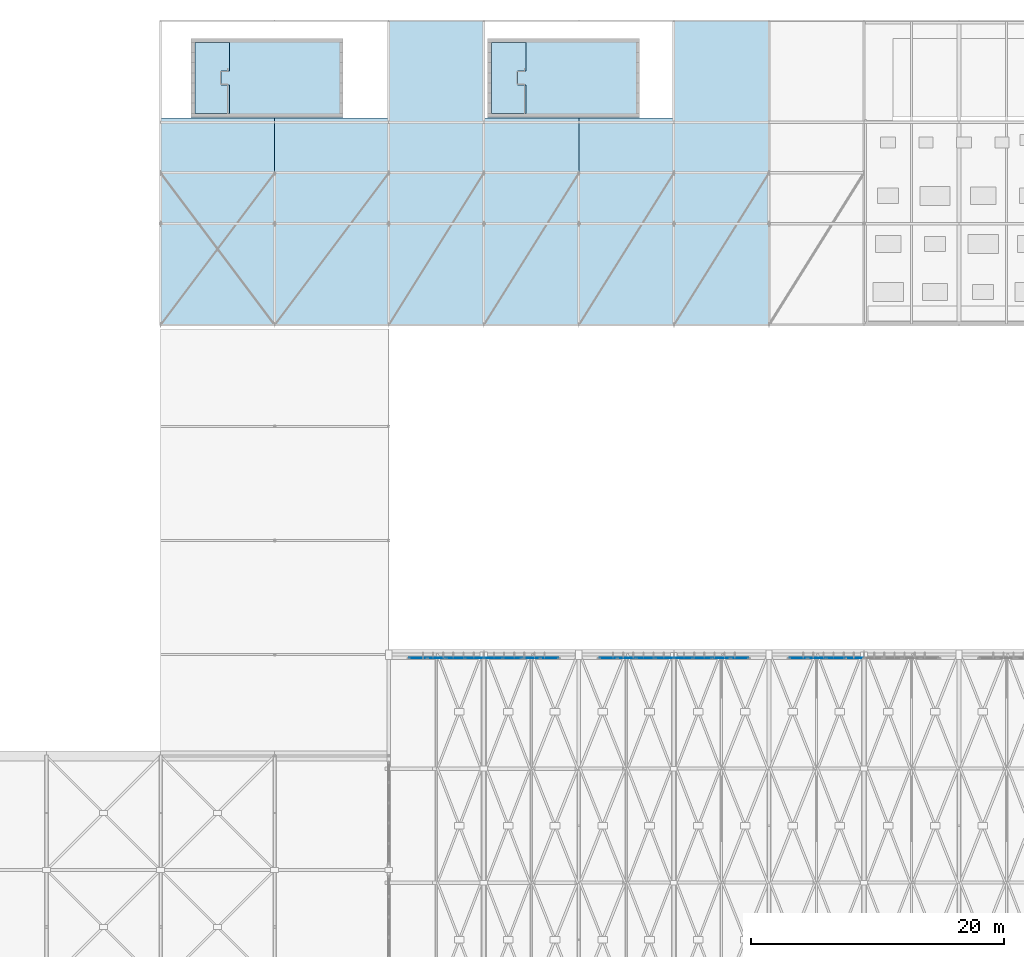
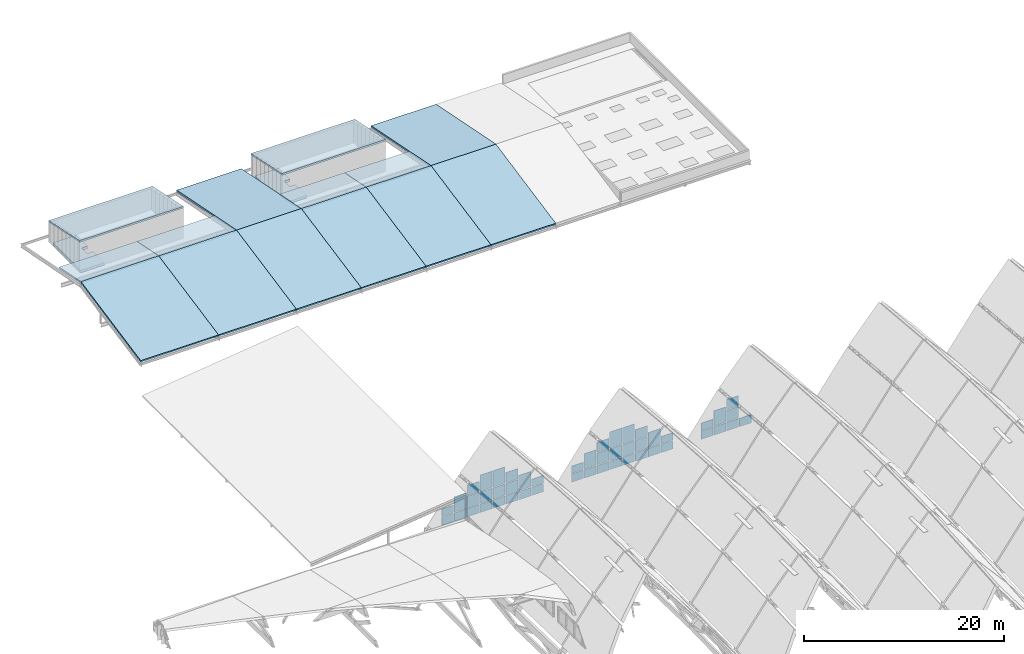
# One storey, part 62 of 93: 48 plates, 16 slabs, 4 elements without a shape of their own.
"""IFC4 building model written with IfcOpenShell, lengths in metres."""

from ifc_helpers import new_model, si_unit, direction, frame, origin, origin_2d, place, context, subcontext, project, spatial, polyline, rectangle, outline, extrude, material, layer, layer_set, type_object, element, aggregate, save


model = new_model("IFC4")

# Units and contexts
model_context = context("Model", 3, precision=1e-05, world=origin(), true_north=direction((0.0, 1.0)))
body_context = subcontext(model_context, "Body", "Model", "MODEL_VIEW")
ifc_project = project(units=[si_unit("LENGTHUNIT", "METRE"), si_unit("AREAUNIT", "SQUARE_METRE"), si_unit("VOLUMEUNIT", "CUBIC_METRE"), si_unit("PLANEANGLEUNIT", "RADIAN"), si_unit("MASSUNIT", "GRAM", prefix="KILO")], contexts=[model_context])

# Site, building, storey
site_placement = place(None, origin())
site = spatial("IfcSite", under=ifc_project, at=site_placement, CompositionType="ELEMENT")
building_placement = place(site_placement, origin())
building = spatial("IfcBuilding", under=site, at=building_placement, Name="Vourika Railside Aquatics Centre", CompositionType="ELEMENT")
storey_placement = place(building_placement, frame((0.0, 0.0, 21.89990234375)))
storey = spatial("IfcBuildingStorey", under=building, at=storey_placement, Name="Roof", CompositionType="ELEMENT", Elevation=21.89990234375)

# Curtain wall, plates
ifc_material_1 = material(Name="Anodized thermally broken aluminium", Category="aluminium")
curtain_wall_type_1 = type_object("IfcCurtainWallType", Name="CW-VLTN1", PredefinedType="NOTDEFINED", material=ifc_material_1)
curtain_wall_1_placement = place(storey_placement, origin())
curtain_wall_1 = element("IfcCurtainWall", 1, at=curtain_wall_1_placement, inside=storey, type_object=curtain_wall_type_1, Name="North Courtyard Pointed-Arch Curtain Wall Bay 1", PredefinedType="NOTDEFINED")
ifc_material_2 = material(Name="Low-E solar-control laminated double glazing", Category="glass")
ifc_layer_1 = layer(ifc_material_2, 0.048095703125, Name="CWP-VLTN1")
ifc_layer_set_1 = layer_set([ifc_layer_1], Name="Low-E solar-control laminated double glazing")
plate_type_1 = type_object("IfcPlateType", Name="CWP-VLTN1", PredefinedType="CURTAIN_PANEL", material=ifc_layer_set_1)
plate_1_placement = place(storey_placement, frame((48.68505859375, 65.719970703125, -11.014892578125), z_axis=(0.0, 0.0, 1.0), x_axis=(-1.0, 0.0, 0.0)))
plate_1 = element("IfcPlate", 2, at=plate_1_placement, type_object=plate_type_1, Name="CW01 glazed panel 1.1", PredefinedType="CURTAIN_PANEL", context=body_context, shape_type="SweptSolid", body=[
    extrude(rectangle(XDim=1.360107421875, YDim=0.048095703125, at=origin_2d()), origin(), (0.0, 0.0, 1.0), 1.0224609375),
])
plate_2_placement = place(storey_placement, frame((48.68505859375, 65.719970703125, -9.9072265625), z_axis=(0.0, 0.0, 1.0), x_axis=(-1.0, 0.0, 0.0)))
plate_2 = element("IfcPlate", 3, at=plate_2_placement, type_object=plate_type_1, Name="CW01 glazed panel 1.2", PredefinedType="CURTAIN_PANEL", context=body_context, shape_type="SweptSolid", body=[
    extrude(rectangle(XDim=1.360107421875, YDim=0.048095703125, at=origin_2d()), origin(), (0.0, 0.0, 1.0), 0.884521484375),
])
plate_3_placement = place(storey_placement, frame((47.21875, 65.719970703125, -11.014892578125), z_axis=(0.0, 0.0, 1.0), x_axis=(-1.0, 0.0, 0.0)))
plate_3 = element("IfcPlate", 4, at=plate_3_placement, type_object=plate_type_1, Name="CW01 glazed panel 2.1", PredefinedType="CURTAIN_PANEL", context=body_context, shape_type="SweptSolid", body=[
    extrude(rectangle(XDim=1.402587890625, YDim=0.048095703125, at=origin_2d()), origin(), (0.0, 0.0, 1.0), 1.0224609375),
])
plate_4_placement = place(storey_placement, frame((47.21875, 65.719970703125, -9.907470703125), z_axis=(0.0, 0.0, 1.0), x_axis=(-1.0, 0.0, 0.0)))
plate_4 = element("IfcPlate", 5, at=plate_4_placement, type_object=plate_type_1, Name="CW01 glazed panel 2.2", PredefinedType="CURTAIN_PANEL", context=body_context, shape_type="SweptSolid", body=[
    extrude(rectangle(XDim=1.402587890625, YDim=0.048095703125, at=origin_2d()), origin(), (0.0, 0.0, 1.0), 1.87548828125),
])
plate_5_placement = place(storey_placement, frame((45.731201171875, 65.719970703125, -11.014892578125), z_axis=(0.0, 0.0, 1.0), x_axis=(-1.0, 0.0, 0.0)))
plate_5 = element("IfcPlate", 6, at=plate_5_placement, type_object=plate_type_1, Name="CW01 glazed panel 3.1", PredefinedType="CURTAIN_PANEL", context=body_context, shape_type="SweptSolid", body=[
    extrude(rectangle(XDim=1.402587890625, YDim=0.048095703125, at=origin_2d()), origin(), (0.0, 0.0, 1.0), 1.0224609375),
])
plate_6_placement = place(storey_placement, frame((45.731201171875, 65.719970703125, -9.907470703125), z_axis=(0.0, 0.0, 1.0), x_axis=(-1.0, 0.0, 0.0)))
plate_6 = element("IfcPlate", 7, at=plate_6_placement, type_object=plate_type_1, Name="CW01 glazed panel 3.2", PredefinedType="CURTAIN_PANEL", context=body_context, shape_type="SweptSolid", body=[
    extrude(rectangle(XDim=1.402587890625, YDim=0.048095703125, at=origin_2d()), origin(), (0.0, 0.0, 1.0), 1.4150390625),
])
plate_7_placement = place(storey_placement, frame((45.731201171875, 65.719970703125, -8.4072265625), z_axis=(0.0, 0.0, 1.0), x_axis=(-1.0, 0.0, 0.0)))
plate_7 = element("IfcPlate", 8, at=plate_7_placement, type_object=plate_type_1, Name="CW01 glazed panel 3.3", PredefinedType="CURTAIN_PANEL", context=body_context, shape_type="SweptSolid", body=[
    extrude(rectangle(XDim=1.402587890625, YDim=0.048095703125, at=origin_2d()), origin(), (0.0, 0.0, 1.0), 1.255615234375),
])
plate_8_placement = place(storey_placement, frame((44.24365234375, 65.719970703125, -11.014892578125), z_axis=(0.0, 0.0, 1.0), x_axis=(-1.0, 0.0, 0.0)))
plate_8 = element("IfcPlate", 9, at=plate_8_placement, type_object=plate_type_1, Name="CW01 glazed panel 4.1", PredefinedType="CURTAIN_PANEL", context=body_context, shape_type="SweptSolid", body=[
    extrude(rectangle(XDim=1.402587890625, YDim=0.048095703125, at=origin_2d()), origin(), (0.0, 0.0, 1.0), 1.0224609375),
])
plate_9_placement = place(storey_placement, frame((44.24365234375, 65.719970703125, -9.907470703125), z_axis=(0.0, 0.0, 1.0), x_axis=(-1.0, 0.0, 0.0)))
plate_9 = element("IfcPlate", 10, at=plate_9_placement, type_object=plate_type_1, Name="CW01 glazed panel 4.2", PredefinedType="CURTAIN_PANEL", context=body_context, shape_type="SweptSolid", body=[
    extrude(rectangle(XDim=1.402587890625, YDim=0.048095703125, at=origin_2d()), origin(), (0.0, 0.0, 1.0), 1.4150390625),
])
plate_10_placement = place(storey_placement, frame((44.24365234375, 65.719970703125, -8.4072265625), z_axis=(0.0, 0.0, 1.0), x_axis=(-1.0, 0.0, 0.0)))
plate_10 = element("IfcPlate", 11, at=plate_10_placement, type_object=plate_type_1, Name="CW01 glazed panel 4.3", PredefinedType="CURTAIN_PANEL", context=body_context, shape_type="SweptSolid", body=[
    extrude(rectangle(XDim=1.402587890625, YDim=0.048095703125, at=origin_2d()), origin(), (0.0, 0.0, 1.0), 1.992431640625),
])
plate_11_placement = place(storey_placement, frame((42.75634765625, 65.719970703125, -11.014892578125), z_axis=(0.0, 0.0, 1.0), x_axis=(-1.0, 0.0, 0.0)))
plate_11 = element("IfcPlate", 12, at=plate_11_placement, type_object=plate_type_1, Name="CW01 glazed panel 5.1", PredefinedType="CURTAIN_PANEL", context=body_context, shape_type="SweptSolid", body=[
    extrude(rectangle(XDim=1.402587890625, YDim=0.048095703125, at=origin_2d()), origin(), (0.0, 0.0, 1.0), 1.0224609375),
])
plate_12_placement = place(storey_placement, frame((42.75634765625, 65.719970703125, -9.907470703125), z_axis=(0.0, 0.0, 1.0), x_axis=(-1.0, 0.0, 0.0)))
plate_12 = element("IfcPlate", 13, at=plate_12_placement, type_object=plate_type_1, Name="CW01 glazed panel 5.2", PredefinedType="CURTAIN_PANEL", context=body_context, shape_type="SweptSolid", body=[
    extrude(rectangle(XDim=1.402587890625, YDim=0.048095703125, at=origin_2d()), origin(), (0.0, 0.0, 1.0), 1.4150390625),
])
plate_13_placement = place(storey_placement, frame((42.75634765625, 65.719970703125, -8.4072265625), z_axis=(0.0, 0.0, 1.0), x_axis=(-1.0, 0.0, 0.0)))
plate_13 = element("IfcPlate", 14, at=plate_13_placement, type_object=plate_type_1, Name="CW01 glazed panel 5.3", PredefinedType="CURTAIN_PANEL", context=body_context, shape_type="SweptSolid", body=[
    extrude(rectangle(XDim=1.402587890625, YDim=0.048095703125, at=origin_2d()), origin(), (0.0, 0.0, 1.0), 1.992431640625),
])
plate_14_placement = place(storey_placement, frame((41.268798828125, 65.719970703125, -11.014892578125), z_axis=(0.0, 0.0, 1.0), x_axis=(-1.0, 0.0, 0.0)))
plate_14 = element("IfcPlate", 15, at=plate_14_placement, type_object=plate_type_1, Name="CW01 glazed panel 6.1", PredefinedType="CURTAIN_PANEL", context=body_context, shape_type="SweptSolid", body=[
    extrude(rectangle(XDim=1.402587890625, YDim=0.048095703125, at=origin_2d()), origin(), (0.0, 0.0, 1.0), 1.0224609375),
])
plate_15_placement = place(storey_placement, frame((41.268798828125, 65.719970703125, -9.907470703125), z_axis=(0.0, 0.0, 1.0), x_axis=(-1.0, 0.0, 0.0)))
plate_15 = element("IfcPlate", 16, at=plate_15_placement, type_object=plate_type_1, Name="CW01 glazed panel 6.2", PredefinedType="CURTAIN_PANEL", context=body_context, shape_type="SweptSolid", body=[
    extrude(rectangle(XDim=1.402587890625, YDim=0.048095703125, at=origin_2d()), origin(), (0.0, 0.0, 1.0), 1.4150390625),
])
plate_16_placement = place(storey_placement, frame((41.268798828125, 65.719970703125, -8.4072265625), z_axis=(0.0, 0.0, 1.0), x_axis=(-1.0, 0.0, 0.0)))
plate_16 = element("IfcPlate", 17, at=plate_16_placement, type_object=plate_type_1, Name="CW01 glazed panel 6.3", PredefinedType="CURTAIN_PANEL", context=body_context, shape_type="SweptSolid", body=[
    extrude(rectangle(XDim=1.402587890625, YDim=0.048095703125, at=origin_2d()), origin(), (0.0, 0.0, 1.0), 1.255615234375),
])
plate_17_placement = place(storey_placement, frame((39.78125, 65.719970703125, -11.014892578125), z_axis=(0.0, 0.0, 1.0), x_axis=(-1.0, 0.0, 0.0)))
plate_17 = element("IfcPlate", 18, at=plate_17_placement, type_object=plate_type_1, Name="CW01 glazed panel 7.1", PredefinedType="CURTAIN_PANEL", context=body_context, shape_type="SweptSolid", body=[
    extrude(rectangle(XDim=1.402587890625, YDim=0.048095703125, at=origin_2d()), origin(), (0.0, 0.0, 1.0), 1.0224609375),
])
plate_18_placement = place(storey_placement, frame((39.78125, 65.719970703125, -9.907470703125), z_axis=(0.0, 0.0, 1.0), x_axis=(-1.0, 0.0, 0.0)))
plate_18 = element("IfcPlate", 19, at=plate_18_placement, type_object=plate_type_1, Name="CW01 glazed panel 7.2", PredefinedType="CURTAIN_PANEL", context=body_context, shape_type="SweptSolid", body=[
    extrude(rectangle(XDim=1.402587890625, YDim=0.048095703125, at=origin_2d()), origin(), (0.0, 0.0, 1.0), 1.87548828125),
])
plate_19_placement = place(storey_placement, frame((38.31494140625, 65.719970703125, -11.014892578125), z_axis=(0.0, 0.0, 1.0), x_axis=(-1.0, 0.0, 0.0)))
plate_19 = element("IfcPlate", 20, at=plate_19_placement, type_object=plate_type_1, Name="CW01 glazed panel 8.1", PredefinedType="CURTAIN_PANEL", context=body_context, shape_type="SweptSolid", body=[
    extrude(rectangle(XDim=1.360107421875, YDim=0.048095703125, at=origin_2d()), origin(), (0.0, 0.0, 1.0), 1.0224609375),
])
plate_20_placement = place(storey_placement, frame((38.31494140625, 65.719970703125, -9.9072265625), z_axis=(0.0, 0.0, 1.0), x_axis=(-1.0, 0.0, 0.0)))
plate_20 = element("IfcPlate", 21, at=plate_20_placement, type_object=plate_type_1, Name="CW01 glazed panel 8.2", PredefinedType="CURTAIN_PANEL", context=body_context, shape_type="SweptSolid", body=[
    extrude(rectangle(XDim=1.360107421875, YDim=0.048095703125, at=origin_2d()), origin(), (0.0, 0.0, 1.0), 0.884521484375),
])
aggregate(curtain_wall_1, [plate_1, plate_2, plate_3, plate_4, plate_5, plate_6, plate_7, plate_8, plate_9, plate_10, plate_11, plate_12, plate_13, plate_14, plate_15, plate_16, plate_17, plate_18, plate_19, plate_20])

curtain_wall_2_placement = place(storey_placement, origin())
curtain_wall_2 = element("IfcCurtainWall", 22, at=curtain_wall_2_placement, inside=storey, type_object=curtain_wall_type_1, Name="North Courtyard Pointed-Arch Curtain Wall Bay 2", PredefinedType="NOTDEFINED")
plate_21_placement = place(storey_placement, frame((63.68505859375, 65.719970703125, -11.014892578125), z_axis=(0.0, 0.0, 1.0), x_axis=(-1.0, 0.0, 0.0)))
plate_21 = element("IfcPlate", 23, at=plate_21_placement, type_object=plate_type_1, Name="CW01 glazed panel 1.1", PredefinedType="CURTAIN_PANEL", context=body_context, shape_type="SweptSolid", body=[
    extrude(rectangle(XDim=1.360107421875, YDim=0.048095703125, at=origin_2d()), origin(), (0.0, 0.0, 1.0), 1.0224609375),
])
plate_22_placement = place(storey_placement, frame((63.68505859375, 65.719970703125, -9.9072265625), z_axis=(0.0, 0.0, 1.0), x_axis=(-1.0, 0.0, 0.0)))
plate_22 = element("IfcPlate", 24, at=plate_22_placement, type_object=plate_type_1, Name="CW01 glazed panel 1.2", PredefinedType="CURTAIN_PANEL", context=body_context, shape_type="SweptSolid", body=[
    extrude(rectangle(XDim=1.360107421875, YDim=0.048095703125, at=origin_2d()), origin(), (0.0, 0.0, 1.0), 0.884521484375),
])
plate_23_placement = place(storey_placement, frame((62.21875, 65.719970703125, -11.014892578125), z_axis=(0.0, 0.0, 1.0), x_axis=(-1.0, 0.0, 0.0)))
plate_23 = element("IfcPlate", 25, at=plate_23_placement, type_object=plate_type_1, Name="CW01 glazed panel 2.1", PredefinedType="CURTAIN_PANEL", context=body_context, shape_type="SweptSolid", body=[
    extrude(rectangle(XDim=1.402587890625, YDim=0.048095703125, at=origin_2d()), origin(), (0.0, 0.0, 1.0), 1.0224609375),
])
plate_24_placement = place(storey_placement, frame((62.21875, 65.719970703125, -9.907470703125), z_axis=(0.0, 0.0, 1.0), x_axis=(-1.0, 0.0, 0.0)))
plate_24 = element("IfcPlate", 26, at=plate_24_placement, type_object=plate_type_1, Name="CW01 glazed panel 2.2", PredefinedType="CURTAIN_PANEL", context=body_context, shape_type="SweptSolid", body=[
    extrude(rectangle(XDim=1.402587890625, YDim=0.048095703125, at=origin_2d()), origin(), (0.0, 0.0, 1.0), 1.87548828125),
])
plate_25_placement = place(storey_placement, frame((60.731201171875, 65.719970703125, -11.014892578125), z_axis=(0.0, 0.0, 1.0), x_axis=(-1.0, 0.0, 0.0)))
plate_25 = element("IfcPlate", 27, at=plate_25_placement, type_object=plate_type_1, Name="CW01 glazed panel 3.1", PredefinedType="CURTAIN_PANEL", context=body_context, shape_type="SweptSolid", body=[
    extrude(rectangle(XDim=1.402587890625, YDim=0.048095703125, at=origin_2d()), origin(), (0.0, 0.0, 1.0), 1.0224609375),
])
plate_26_placement = place(storey_placement, frame((60.731201171875, 65.719970703125, -9.907470703125), z_axis=(0.0, 0.0, 1.0), x_axis=(-1.0, 0.0, 0.0)))
plate_26 = element("IfcPlate", 28, at=plate_26_placement, type_object=plate_type_1, Name="CW01 glazed panel 3.2", PredefinedType="CURTAIN_PANEL", context=body_context, shape_type="SweptSolid", body=[
    extrude(rectangle(XDim=1.402587890625, YDim=0.048095703125, at=origin_2d()), origin(), (0.0, 0.0, 1.0), 1.4150390625),
])
plate_27_placement = place(storey_placement, frame((60.731201171875, 65.719970703125, -8.4072265625), z_axis=(0.0, 0.0, 1.0), x_axis=(-1.0, 0.0, 0.0)))
plate_27 = element("IfcPlate", 29, at=plate_27_placement, type_object=plate_type_1, Name="CW01 glazed panel 3.3", PredefinedType="CURTAIN_PANEL", context=body_context, shape_type="SweptSolid", body=[
    extrude(rectangle(XDim=1.402587890625, YDim=0.048095703125, at=origin_2d()), origin(), (0.0, 0.0, 1.0), 1.255615234375),
])
plate_28_placement = place(storey_placement, frame((59.24365234375, 65.719970703125, -11.014892578125), z_axis=(0.0, 0.0, 1.0), x_axis=(-1.0, 0.0, 0.0)))
plate_28 = element("IfcPlate", 30, at=plate_28_placement, type_object=plate_type_1, Name="CW01 glazed panel 4.1", PredefinedType="CURTAIN_PANEL", context=body_context, shape_type="SweptSolid", body=[
    extrude(rectangle(XDim=1.402587890625, YDim=0.048095703125, at=origin_2d()), origin(), (0.0, 0.0, 1.0), 1.0224609375),
])
plate_29_placement = place(storey_placement, frame((59.24365234375, 65.719970703125, -9.907470703125), z_axis=(0.0, 0.0, 1.0), x_axis=(-1.0, 0.0, 0.0)))
plate_29 = element("IfcPlate", 31, at=plate_29_placement, type_object=plate_type_1, Name="CW01 glazed panel 4.2", PredefinedType="CURTAIN_PANEL", context=body_context, shape_type="SweptSolid", body=[
    extrude(rectangle(XDim=1.402587890625, YDim=0.048095703125, at=origin_2d()), origin(), (0.0, 0.0, 1.0), 1.4150390625),
])
plate_30_placement = place(storey_placement, frame((59.24365234375, 65.719970703125, -8.4072265625), z_axis=(0.0, 0.0, 1.0), x_axis=(-1.0, 0.0, 0.0)))
plate_30 = element("IfcPlate", 32, at=plate_30_placement, type_object=plate_type_1, Name="CW01 glazed panel 4.3", PredefinedType="CURTAIN_PANEL", context=body_context, shape_type="SweptSolid", body=[
    extrude(rectangle(XDim=1.402587890625, YDim=0.048095703125, at=origin_2d()), origin(), (0.0, 0.0, 1.0), 1.992431640625),
])
plate_31_placement = place(storey_placement, frame((57.75634765625, 65.719970703125, -11.014892578125), z_axis=(0.0, 0.0, 1.0), x_axis=(-1.0, 0.0, 0.0)))
plate_31 = element("IfcPlate", 33, at=plate_31_placement, type_object=plate_type_1, Name="CW01 glazed panel 5.1", PredefinedType="CURTAIN_PANEL", context=body_context, shape_type="SweptSolid", body=[
    extrude(rectangle(XDim=1.402587890625, YDim=0.048095703125, at=origin_2d()), origin(), (0.0, 0.0, 1.0), 1.0224609375),
])
plate_32_placement = place(storey_placement, frame((57.75634765625, 65.719970703125, -9.907470703125), z_axis=(0.0, 0.0, 1.0), x_axis=(-1.0, 0.0, 0.0)))
plate_32 = element("IfcPlate", 34, at=plate_32_placement, type_object=plate_type_1, Name="CW01 glazed panel 5.2", PredefinedType="CURTAIN_PANEL", context=body_context, shape_type="SweptSolid", body=[
    extrude(rectangle(XDim=1.402587890625, YDim=0.048095703125, at=origin_2d()), origin(), (0.0, 0.0, 1.0), 1.4150390625),
])
plate_33_placement = place(storey_placement, frame((57.75634765625, 65.719970703125, -8.4072265625), z_axis=(0.0, 0.0, 1.0), x_axis=(-1.0, 0.0, 0.0)))
plate_33 = element("IfcPlate", 35, at=plate_33_placement, type_object=plate_type_1, Name="CW01 glazed panel 5.3", PredefinedType="CURTAIN_PANEL", context=body_context, shape_type="SweptSolid", body=[
    extrude(rectangle(XDim=1.402587890625, YDim=0.048095703125, at=origin_2d()), origin(), (0.0, 0.0, 1.0), 1.992431640625),
])
plate_34_placement = place(storey_placement, frame((56.268798828125, 65.719970703125, -11.014892578125), z_axis=(0.0, 0.0, 1.0), x_axis=(-1.0, 0.0, 0.0)))
plate_34 = element("IfcPlate", 36, at=plate_34_placement, type_object=plate_type_1, Name="CW01 glazed panel 6.1", PredefinedType="CURTAIN_PANEL", context=body_context, shape_type="SweptSolid", body=[
    extrude(rectangle(XDim=1.402587890625, YDim=0.048095703125, at=origin_2d()), origin(), (0.0, 0.0, 1.0), 1.0224609375),
])
plate_35_placement = place(storey_placement, frame((56.268798828125, 65.719970703125, -9.907470703125), z_axis=(0.0, 0.0, 1.0), x_axis=(-1.0, 0.0, 0.0)))
plate_35 = element("IfcPlate", 37, at=plate_35_placement, type_object=plate_type_1, Name="CW01 glazed panel 6.2", PredefinedType="CURTAIN_PANEL", context=body_context, shape_type="SweptSolid", body=[
    extrude(rectangle(XDim=1.402587890625, YDim=0.048095703125, at=origin_2d()), origin(), (0.0, 0.0, 1.0), 1.4150390625),
])
plate_36_placement = place(storey_placement, frame((56.268798828125, 65.719970703125, -8.4072265625), z_axis=(0.0, 0.0, 1.0), x_axis=(-1.0, 0.0, 0.0)))
plate_36 = element("IfcPlate", 38, at=plate_36_placement, type_object=plate_type_1, Name="CW01 glazed panel 6.3", PredefinedType="CURTAIN_PANEL", context=body_context, shape_type="SweptSolid", body=[
    extrude(rectangle(XDim=1.402587890625, YDim=0.048095703125, at=origin_2d()), origin(), (0.0, 0.0, 1.0), 1.255615234375),
])
plate_37_placement = place(storey_placement, frame((54.78125, 65.719970703125, -11.014892578125), z_axis=(0.0, 0.0, 1.0), x_axis=(-1.0, 0.0, 0.0)))
plate_37 = element("IfcPlate", 39, at=plate_37_placement, type_object=plate_type_1, Name="CW01 glazed panel 7.1", PredefinedType="CURTAIN_PANEL", context=body_context, shape_type="SweptSolid", body=[
    extrude(rectangle(XDim=1.402587890625, YDim=0.048095703125, at=origin_2d()), origin(), (0.0, 0.0, 1.0), 1.0224609375),
])
plate_38_placement = place(storey_placement, frame((54.78125, 65.719970703125, -9.907470703125), z_axis=(0.0, 0.0, 1.0), x_axis=(-1.0, 0.0, 0.0)))
plate_38 = element("IfcPlate", 40, at=plate_38_placement, type_object=plate_type_1, Name="CW01 glazed panel 7.2", PredefinedType="CURTAIN_PANEL", context=body_context, shape_type="SweptSolid", body=[
    extrude(rectangle(XDim=1.402587890625, YDim=0.048095703125, at=origin_2d()), origin(), (0.0, 0.0, 1.0), 1.87548828125),
])
plate_39_placement = place(storey_placement, frame((53.31494140625, 65.719970703125, -11.014892578125), z_axis=(0.0, 0.0, 1.0), x_axis=(-1.0, 0.0, 0.0)))
plate_39 = element("IfcPlate", 41, at=plate_39_placement, type_object=plate_type_1, Name="CW01 glazed panel 8.1", PredefinedType="CURTAIN_PANEL", context=body_context, shape_type="SweptSolid", body=[
    extrude(rectangle(XDim=1.360107421875, YDim=0.048095703125, at=origin_2d()), origin(), (0.0, 0.0, 1.0), 1.0224609375),
])
plate_40_placement = place(storey_placement, frame((53.31494140625, 65.719970703125, -9.9072265625), z_axis=(0.0, 0.0, 1.0), x_axis=(-1.0, 0.0, 0.0)))
plate_40 = element("IfcPlate", 42, at=plate_40_placement, type_object=plate_type_1, Name="CW01 glazed panel 8.2", PredefinedType="CURTAIN_PANEL", context=body_context, shape_type="SweptSolid", body=[
    extrude(rectangle(XDim=1.360107421875, YDim=0.048095703125, at=origin_2d()), origin(), (0.0, 0.0, 1.0), 0.884521484375),
])
aggregate(curtain_wall_2, [plate_21, plate_22, plate_23, plate_24, plate_25, plate_26, plate_27, plate_28, plate_29, plate_30, plate_31, plate_32, plate_33, plate_34, plate_35, plate_36, plate_37, plate_38, plate_39, plate_40])

curtain_wall_type_2 = type_object("IfcCurtainWallType", Name="CW-VLTN2", PredefinedType="NOTDEFINED", material=ifc_material_1)
curtain_wall_3_placement = place(storey_placement, origin())
curtain_wall_3 = element("IfcCurtainWall", 43, at=curtain_wall_3_placement, inside=storey, type_object=curtain_wall_type_2, Name="North Courtyard Pointed-Arch Curtain Wall Bay 3", PredefinedType="NOTDEFINED")
ifc_layer_2 = layer(ifc_material_2, 0.055908203125, Name="CWP-VLTN2")
ifc_layer_set_2 = layer_set([ifc_layer_2], Name="Low-E solar-control laminated double glazing")
plate_type_2 = type_object("IfcPlateType", Name="CWP-VLTN2", PredefinedType="CURTAIN_PANEL", material=ifc_layer_set_2)
plate_41_placement = place(storey_placement, frame((72.75634765625, 65.719970703125, -11.009765625), z_axis=(0.0, 0.0, 1.0), x_axis=(-1.0, 0.0, 0.0)))
plate_41 = element("IfcPlate", 44, at=plate_41_placement, type_object=plate_type_2, Name="CW02 glazed panel 5.1", PredefinedType="CURTAIN_PANEL", context=body_context, shape_type="SweptSolid", body=[
    extrude(rectangle(XDim=1.3974609375, YDim=0.055908203125, at=origin_2d()), origin(), (0.0, 0.0, 1.0), 1.014892578125),
])
plate_42_placement = place(storey_placement, frame((71.268798828125, 65.719970703125, -11.009765625), z_axis=(0.0, 0.0, 1.0), x_axis=(-1.0, 0.0, 0.0)))
plate_42 = element("IfcPlate", 45, at=plate_42_placement, type_object=plate_type_2, Name="CW02 glazed panel 6.1", PredefinedType="CURTAIN_PANEL", context=body_context, shape_type="SweptSolid", body=[
    extrude(rectangle(XDim=1.3974609375, YDim=0.055908203125, at=origin_2d()), origin(), (0.0, 0.0, 1.0), 1.014892578125),
])
plate_43_placement = place(storey_placement, frame((71.268798828125, 65.719970703125, -9.90478515625), z_axis=(0.0, 0.0, 1.0), x_axis=(-1.0, 0.0, 0.0)))
plate_43 = element("IfcPlate", 46, at=plate_43_placement, type_object=plate_type_2, Name="CW02 glazed panel 6.2", PredefinedType="CURTAIN_PANEL", context=body_context, shape_type="SweptSolid", body=[
    extrude(rectangle(XDim=1.3974609375, YDim=0.055908203125, at=origin_2d()), origin(), (0.0, 0.0, 1.0), 1.409912109375),
])
plate_44_placement = place(storey_placement, frame((71.268798828125, 65.719970703125, -8.405029296875), z_axis=(0.0, 0.0, 1.0), x_axis=(-1.0, 0.0, 0.0)))
plate_44 = element("IfcPlate", 47, at=plate_44_placement, type_object=plate_type_2, Name="CW02 glazed panel 6.3", PredefinedType="CURTAIN_PANEL", context=body_context, shape_type="SweptSolid", body=[
    extrude(rectangle(XDim=1.3974609375, YDim=0.055908203125, at=origin_2d()), origin(), (0.0, 0.0, 1.0), 1.2490234375),
])
plate_45_placement = place(storey_placement, frame((69.78125, 65.719970703125, -11.009765625), z_axis=(0.0, 0.0, 1.0), x_axis=(-1.0, 0.0, 0.0)))
plate_45 = element("IfcPlate", 48, at=plate_45_placement, type_object=plate_type_2, Name="CW02 glazed panel 7.1", PredefinedType="CURTAIN_PANEL", context=body_context, shape_type="SweptSolid", body=[
    extrude(rectangle(XDim=1.3974609375, YDim=0.055908203125, at=origin_2d()), origin(), (0.0, 0.0, 1.0), 1.014892578125),
])
plate_46_placement = place(storey_placement, frame((69.78125, 65.719970703125, -9.905029296875), z_axis=(0.0, 0.0, 1.0), x_axis=(-1.0, 0.0, 0.0)))
plate_46 = element("IfcPlate", 49, at=plate_46_placement, type_object=plate_type_2, Name="CW02 glazed panel 7.2", PredefinedType="CURTAIN_PANEL", context=body_context, shape_type="SweptSolid", body=[
    extrude(rectangle(XDim=1.3974609375, YDim=0.055908203125, at=origin_2d()), origin(), (0.0, 0.0, 1.0), 1.8701171875),
])
plate_47_placement = place(storey_placement, frame((68.316162109375, 65.719970703125, -11.009765625), z_axis=(0.0, 0.0, 1.0), x_axis=(-1.0, 0.0, 0.0)))
plate_47 = element("IfcPlate", 50, at=plate_47_placement, type_object=plate_type_2, Name="CW02 glazed panel 8.1", PredefinedType="CURTAIN_PANEL", context=body_context, shape_type="SweptSolid", body=[
    extrude(rectangle(XDim=1.3525390625, YDim=0.055908203125, at=origin_2d()), origin(), (0.0, 0.0, 1.0), 1.014892578125),
])
plate_48_placement = place(storey_placement, frame((68.316162109375, 65.719970703125, -9.90478515625), z_axis=(0.0, 0.0, 1.0), x_axis=(-1.0, 0.0, 0.0)))
plate_48 = element("IfcPlate", 51, at=plate_48_placement, type_object=plate_type_2, Name="CW02 glazed panel 8.2", PredefinedType="CURTAIN_PANEL", context=body_context, shape_type="SweptSolid", body=[
    extrude(rectangle(XDim=1.3525390625, YDim=0.055908203125, at=origin_2d()), origin(), (0.0, 0.0, 1.0), 0.881103515625),
])
aggregate(curtain_wall_3, [plate_41, plate_42, plate_43, plate_44, plate_45, plate_46, plate_47, plate_48])

# Slabs
ifc_material_3 = material(Name="Concrete C35/45", Category="concrete")
ifc_layer_3 = layer(ifc_material_3, 0.31005859375, Name="SLB-LND-310")
ifc_layer_set_3 = layer_set([ifc_layer_3], Name="Concrete C35/45")
slab_type_1 = type_object("IfcSlabType", Name="SLB-LND-310", PredefinedType="LANDING", material=ifc_layer_set_3)
slab_1_placement = place(storey_placement, frame((0.0, 0.0, -0.309814453125)))
element("IfcSlab", 52, at=slab_1_placement, inside=storey, type_object=slab_type_1, Name="Protected Exit Stair Core ST01 Core Floor Landing (Roof)", PredefinedType="LANDING", context=body_context, shape_type="SweptSolid", body=[
    extrude(outline(polyline([(20.699951171875, 108.699951171875), (23.43994140625, 108.699951171875), (23.43994140625, 110.949951171875), (22.75, 110.949951171875), (22.75, 112.050048828125), (23.43994140625, 112.050048828125), (23.43994140625, 114.300048828125), (20.699951171875, 114.300048828125), (20.699951171875, 108.699951171875)])), origin(), (0.0, 0.0, 1.0), 0.309814453125),
])
slab_2_placement = place(storey_placement, frame((0.0, 0.0, -0.309814453125)))
element("IfcSlab", 53, at=slab_2_placement, inside=storey, type_object=slab_type_1, Name="Protected Exit Stair Core ST02 Core Floor Landing (Roof)", PredefinedType="LANDING", context=body_context, shape_type="SweptSolid", body=[
    extrude(outline(polyline([(44.10009765625, 108.699951171875), (46.840087890625, 108.699951171875), (46.840087890625, 110.949951171875), (46.14990234375, 110.949951171875), (46.14990234375, 112.050048828125), (46.840087890625, 112.050048828125), (46.840087890625, 114.300048828125), (44.10009765625, 114.300048828125), (44.10009765625, 108.699951171875)])), origin(), (0.0, 0.0, 1.0), 0.309814453125),
])

# Roof, slabs
ifc_material_4 = material(Name="Steel S355J2", Category="steel")
ifc_layer_4 = layer(ifc_material_4, 0.205078125, Name="ROOF-PITCH-SYS")
ifc_layer_set_4 = layer_set([ifc_layer_4], Name="Steel S355J2")
roof_type = type_object("IfcRoofType", Name="ROOF-PITCH-SYS", PredefinedType="GABLE_ROOF", material=ifc_layer_set_4)
roof_placement = place(storey_placement, origin())
roof = element("IfcRoof", 54, at=roof_placement, inside=storey, type_object=roof_type, Name="Fitness Wing Pitched Acoustic Roof Assembly", PredefinedType="GABLE_ROOF")
ifc_layer_5 = layer(ifc_material_3, 0.205078125, Name="SLB-ROOF-NLT205")
ifc_layer_set_5 = layer_set([ifc_layer_5], Name="Concrete C35/45")
slab_type_2 = type_object("IfcSlabType", Name="SLB-ROOF-NLT205", PredefinedType="ROOF", material=ifc_layer_set_5)
slab_3_placement = place(storey_placement, frame((18.0, 92.0, 0.050048828125), z_axis=(0.0, -0.196127644693, 0.98057837371), x_axis=(1.0, 0.0, 0.0)))
slab_3 = element("IfcSlab", 55, at=slab_3_placement, type_object=slab_type_2, Name="Fitness Wing Pitched Roof Panel S (18.0-27.0)", PredefinedType="ROOF", context=body_context, shape_type="SweptSolid", body=[
    extrude(outline(polyline([(0.0, 0.0), (9.0, 0.0), (9.0, 12.237675561415154), (0.0, 12.237675561415154), (0.0, 0.0)])), origin(), (0.0, 0.0, -1.0), 0.205078125),
])
slab_4_placement = place(storey_placement, frame((18.0, 104.0, 2.4501953125), z_axis=(0.0, 0.196137301597, 0.980576442161), x_axis=(1.0, 0.0, 0.0)))
slab_4 = element("IfcSlab", 56, at=slab_4_placement, type_object=slab_type_2, Name="Fitness Wing Pitched Roof Panel N (18.0-27.0)", PredefinedType="ROOF", context=body_context, shape_type="SweptSolid", body=[
    extrude(outline(polyline([(0.0, 0.0), (9.0, 0.0), (9.0, 4.43626572005044), (0.0, 4.43626572005044), (0.0, 0.0)])), origin(), (0.0, 0.0, -1.0), 0.205078125),
])
slab_5_placement = place(storey_placement, frame((27.0, 92.0, 0.050048828125), z_axis=(0.0, -0.196127644693, 0.98057837371), x_axis=(1.0, 0.0, 0.0)))
slab_5 = element("IfcSlab", 57, at=slab_5_placement, type_object=slab_type_2, Name="Fitness Wing Pitched Roof Panel S (27.0-36.0)", PredefinedType="ROOF", context=body_context, shape_type="SweptSolid", body=[
    extrude(outline(polyline([(0.0, 0.0), (9.0, 0.0), (9.0, 12.237675561415154), (0.0, 12.237675561415154), (0.0, 0.0)])), origin(), (0.0, 0.0, -1.0), 0.205078125),
])
slab_6_placement = place(storey_placement, frame((27.0, 104.0, 2.4501953125), z_axis=(0.0, 0.196137301597, 0.980576442161), x_axis=(1.0, 0.0, 0.0)))
slab_6 = element("IfcSlab", 58, at=slab_6_placement, type_object=slab_type_2, Name="Fitness Wing Pitched Roof Panel N (27.0-36.0)", PredefinedType="ROOF", context=body_context, shape_type="SweptSolid", body=[
    extrude(outline(polyline([(0.0, 0.0), (9.0, 0.0), (9.0, 4.43626572005044), (0.0, 4.43626572005044), (0.0, 0.0)])), origin(), (0.0, 0.0, -1.0), 0.205078125),
])
slab_7_placement = place(storey_placement, frame((36.0, 92.0, 0.050048828125), z_axis=(0.0, -0.196127644693, 0.98057837371), x_axis=(1.0, 0.0, 0.0)))
slab_7 = element("IfcSlab", 59, at=slab_7_placement, type_object=slab_type_2, Name="Fitness Wing Pitched Roof Panel S (36.0-43.5)", PredefinedType="ROOF", context=body_context, shape_type="SweptSolid", body=[
    extrude(outline(polyline([(0.0, 0.0), (7.5, 0.0), (7.5, 12.237675561415152), (0.0, 12.237675561415152), (0.0, 0.0)])), origin(), (0.0, 0.0, -1.0), 0.205078125),
])
slab_8_placement = place(storey_placement, frame((36.0, 104.0, 2.4501953125), z_axis=(0.0, 0.196127644693, 0.98057837371), x_axis=(1.0, 0.0, 0.0)))
slab_8 = element("IfcSlab", 60, at=slab_8_placement, type_object=slab_type_2, Name="Fitness Wing Pitched Roof Panel N (36.0-43.5)", PredefinedType="ROOF", context=body_context, shape_type="SweptSolid", body=[
    extrude(outline(polyline([(0.0, 0.0), (7.5, 0.0), (7.5, 12.237675561415152), (0.0, 12.237675561415152), (0.0, 0.0)])), origin(), (0.0, 0.0, -1.0), 0.205078125),
])
slab_9_placement = place(storey_placement, frame((43.5, 92.0, 0.050048828125), z_axis=(0.0, -0.196127644693, 0.98057837371), x_axis=(1.0, 0.0, 0.0)))
slab_9 = element("IfcSlab", 61, at=slab_9_placement, type_object=slab_type_2, Name="Fitness Wing Pitched Roof Panel S (43.5-51.0)", PredefinedType="ROOF", context=body_context, shape_type="SweptSolid", body=[
    extrude(outline(polyline([(0.0, 0.0), (7.5, 0.0), (7.5, 12.237675561415152), (0.0, 12.237675561415152), (0.0, 0.0)])), origin(), (0.0, 0.0, -1.0), 0.205078125),
])
slab_10_placement = place(storey_placement, frame((43.5, 104.0, 2.4501953125), z_axis=(0.0, 0.196137301597, 0.980576442161), x_axis=(1.0, 0.0, 0.0)))
slab_10 = element("IfcSlab", 62, at=slab_10_placement, type_object=slab_type_2, Name="Fitness Wing Pitched Roof Panel N (43.5-51.0)", PredefinedType="ROOF", context=body_context, shape_type="SweptSolid", body=[
    extrude(outline(polyline([(0.0, 0.0), (7.5, 0.0), (7.5, 4.43626572005044), (0.0, 4.43626572005044), (0.0, 0.0)])), origin(), (0.0, 0.0, -1.0), 0.205078125),
])
slab_11_placement = place(storey_placement, frame((51.0, 92.0, 0.050048828125), z_axis=(0.0, -0.196127644693, 0.98057837371), x_axis=(1.0, 0.0, 0.0)))
slab_11 = element("IfcSlab", 63, at=slab_11_placement, type_object=slab_type_2, Name="Fitness Wing Pitched Roof Panel S (51.0-58.5)", PredefinedType="ROOF", context=body_context, shape_type="SweptSolid", body=[
    extrude(outline(polyline([(0.0, 0.0), (7.5, 0.0), (7.5, 12.237675561415152), (0.0, 12.237675561415152), (0.0, 0.0)])), origin(), (0.0, 0.0, -1.0), 0.205078125),
])
slab_12_placement = place(storey_placement, frame((51.0, 104.0, 2.4501953125), z_axis=(0.0, 0.196137301597, 0.980576442161), x_axis=(1.0, 0.0, 0.0)))
slab_12 = element("IfcSlab", 64, at=slab_12_placement, type_object=slab_type_2, Name="Fitness Wing Pitched Roof Panel N (51.0-58.5)", PredefinedType="ROOF", context=body_context, shape_type="SweptSolid", body=[
    extrude(outline(polyline([(0.0, 0.0), (7.5, 0.0), (7.5, 4.43626572005044), (0.0, 4.43626572005044), (0.0, 0.0)])), origin(), (0.0, 0.0, -1.0), 0.205078125),
])
slab_13_placement = place(storey_placement, frame((58.5, 92.0, 0.050048828125), z_axis=(0.0, -0.196127644693, 0.98057837371), x_axis=(1.0, 0.0, 0.0)))
slab_13 = element("IfcSlab", 65, at=slab_13_placement, type_object=slab_type_2, Name="Fitness Wing Pitched Roof Panel S (58.5-66.0)", PredefinedType="ROOF", context=body_context, shape_type="SweptSolid", body=[
    extrude(outline(polyline([(0.0, 0.0), (7.5, 0.0), (7.5, 12.237675561415152), (0.0, 12.237675561415152), (0.0, 0.0)])), origin(), (0.0, 0.0, -1.0), 0.205078125),
])
slab_14_placement = place(storey_placement, frame((58.5, 104.0, 2.4501953125), z_axis=(0.0, 0.196127644693, 0.98057837371), x_axis=(1.0, 0.0, 0.0)))
slab_14 = element("IfcSlab", 66, at=slab_14_placement, type_object=slab_type_2, Name="Fitness Wing Pitched Roof Panel N (58.5-66.0)", PredefinedType="ROOF", context=body_context, shape_type="SweptSolid", body=[
    extrude(outline(polyline([(0.0, 0.0), (7.5, 0.0), (7.5, 12.237675561415152), (0.0, 12.237675561415152), (0.0, 0.0)])), origin(), (0.0, 0.0, -1.0), 0.205078125),
])
slab_15_placement = place(storey_placement, frame((20.39990234375, 108.39990234375, 3.9501953125), z_axis=(0.0, 0.205216035112, 0.978716700038), x_axis=(1.0, 0.0, 0.0)))
slab_15 = element("IfcSlab", 67, at=slab_15_placement, type_object=slab_type_2, Name="Protected Exit Stair Core ST01 Sloped Headhouse Roof", PredefinedType="ROOF", context=body_context, shape_type="SweptSolid", body=[
    extrude(outline(polyline([(0.0, 0.0), (12.0, 0.0), (12.0, 6.3350255617997435), (0.0, 6.3350255617997435), (0.0, 0.0)])), origin(), (0.0, 0.0, -1.0), 0.205078125),
])
slab_16_placement = place(storey_placement, frame((43.800048828125, 108.39990234375, 3.9501953125), z_axis=(0.0, 0.205216035112, 0.978716700038), x_axis=(1.0, 0.0, 0.0)))
slab_16 = element("IfcSlab", 68, at=slab_16_placement, type_object=slab_type_2, Name="Protected Exit Stair Core ST02 Sloped Headhouse Roof", PredefinedType="ROOF", context=body_context, shape_type="SweptSolid", body=[
    extrude(outline(polyline([(0.0, 0.0), (12.0, 0.0), (12.0, 6.3350255617997435), (0.0, 6.3350255617997435), (0.0, 0.0)])), origin(), (0.0, 0.0, -1.0), 0.205078125),
])
aggregate(roof, [slab_3, slab_4, slab_5, slab_6, slab_7, slab_8, slab_9, slab_10, slab_11, slab_12, slab_13, slab_14, slab_15, slab_16])

save(model, "model.ifc")
